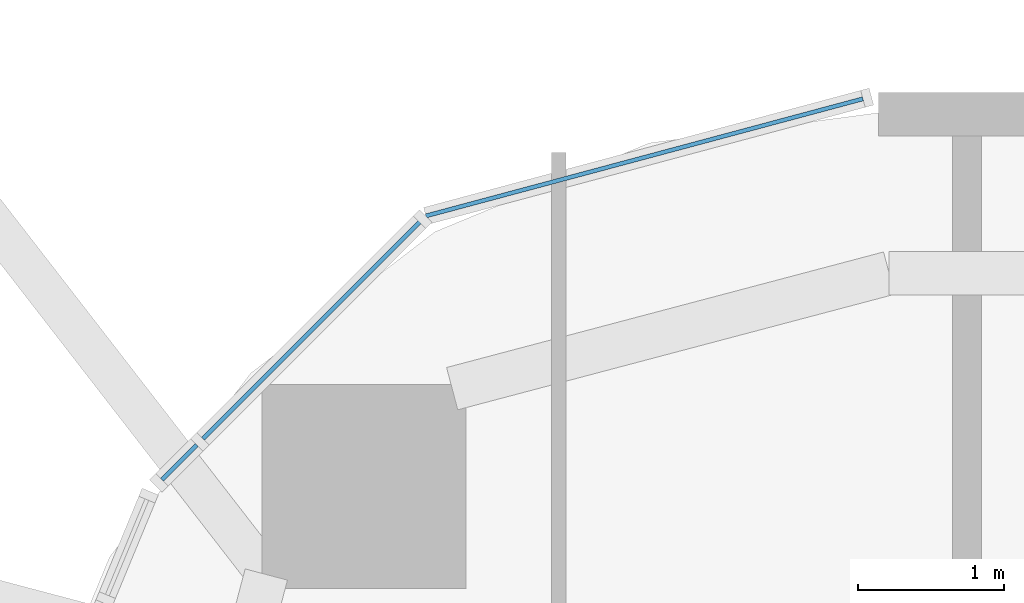
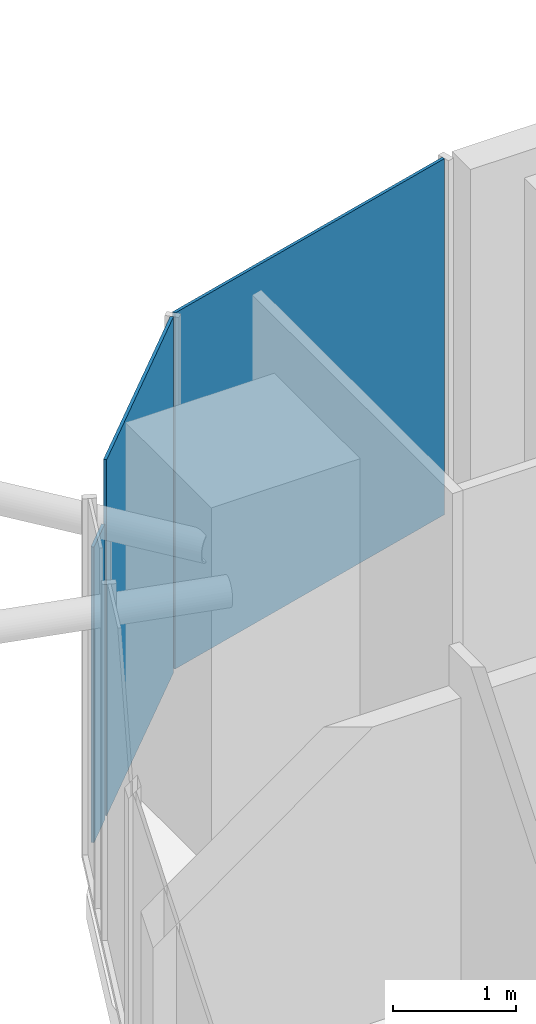
# One storey, part 20 of 31: 3 plates, 3 elements without a shape of their own.
"""IFC4 building model written with IfcOpenShell, lengths in metres."""

from ifc_helpers import new_model, si_unit, direction, frame, origin, origin_2d, place, context, subcontext, project, spatial, rectangle, extrude, material, layer, layer_set, type_object, element, aggregate, save


model = new_model("IFC4")

# Units and contexts
model_context = context("Model", 3, precision=1e-05, world=origin(), true_north=direction((0.0, 1.0)))
body_context = subcontext(model_context, "Body", "Model", "MODEL_VIEW")
ifc_project = project(units=[si_unit("LENGTHUNIT", "METRE"), si_unit("AREAUNIT", "SQUARE_METRE"), si_unit("VOLUMEUNIT", "CUBIC_METRE"), si_unit("PLANEANGLEUNIT", "RADIAN"), si_unit("MASSUNIT", "GRAM", prefix="KILO")], contexts=[model_context])

# Site, building, storey
site_placement = place(None, origin())
site = spatial("IfcSite", under=ifc_project, at=site_placement, CompositionType="ELEMENT")
building_placement = place(site_placement, origin())
building = spatial("IfcBuilding", under=site, at=building_placement, Name="Marenta Gate Hotel Tower", CompositionType="ELEMENT")
storey_placement = place(building_placement, frame((0.0, 0.0, 220.10009765625)))
storey = spatial("IfcBuildingStorey", under=building, at=storey_placement, Name="L51", CompositionType="ELEMENT", Elevation=220.10009765625)

# Curtain wall, plate
ifc_material_1 = material(Name="Tinted insulated glass in bronze anodised frame", Category="glass")
ifc_layer_1 = layer(ifc_material_1, 0.1201171875)
ifc_layer_set_1 = layer_set([ifc_layer_1], Name="Tinted insulated glass in bronze anodised frame")
curtain_wall_type = type_object("IfcCurtainWallType", Name="Tower unitised curtain wall CW1", PredefinedType="NOTDEFINED", material=ifc_layer_set_1)
curtain_wall_1_placement = place(storey_placement, origin())
curtain_wall_1 = element("IfcCurtainWall", 1, at=curtain_wall_1_placement, inside=storey, type_object=curtain_wall_type, Name="CW1 run G00", PredefinedType="NOTDEFINED")
ifc_material_2 = material(Name="Tinted insulated glass", Category="glass")
ifc_layer_2 = layer(ifc_material_2, 0.028076171875)
ifc_layer_set_2 = layer_set([ifc_layer_2], Name="Tinted insulated glass")
plate_type = type_object("IfcPlateType", Name="Glass panel CW1 28 mm tinted insulated unit", PredefinedType="CURTAIN_PANEL", material=ifc_layer_set_2)
plate_1_placement = place(storey_placement, frame((-20.813720703125, 22.19384765625, 0.059814453125), z_axis=(0.0, 0.0, 1.0), x_axis=(-0.965930559685, -0.258801379183, 0.0)))
plate_1 = element("IfcPlate", 2, at=plate_1_placement, type_object=plate_type, Name="CW1 panel 1.1", PredefinedType="CURTAIN_PANEL", context=body_context, shape_type="SweptSolid", body=[
    extrude(rectangle(XDim=3.104248046875, YDim=0.028076171875, at=origin_2d()), origin(), (0.0, 0.0, 1.0), 3.5400390625),
])
aggregate(curtain_wall_1, [plate_1])

curtain_wall_2_placement = place(storey_placement, origin())
curtain_wall_2 = element("IfcCurtainWall", 3, at=curtain_wall_2_placement, inside=storey, type_object=curtain_wall_type, Name="CW1 run G01", PredefinedType="NOTDEFINED")
plate_2_placement = place(storey_placement, frame((-23.0986328125, 21.00634765625, 0.059814453125), z_axis=(0.0, 0.0, 1.0), x_axis=(-0.707106781187, -0.707106781187, 0.0)))
plate_2 = element("IfcPlate", 4, at=plate_2_placement, type_object=plate_type, Name="CW1 panel 1.1", PredefinedType="CURTAIN_PANEL", context=body_context, shape_type="SweptSolid", body=[
    extrude(rectangle(XDim=2.1025390625, YDim=0.028076171875, at=origin_2d()), origin(), (0.0, 0.0, 1.0), 3.5400390625),
])
aggregate(curtain_wall_2, [plate_2])

curtain_wall_3_placement = place(storey_placement, origin())
curtain_wall_3 = element("IfcCurtainWall", 5, at=curtain_wall_3_placement, inside=storey, type_object=curtain_wall_type, Name="CW1 run G02", PredefinedType="NOTDEFINED")
plate_3_placement = place(storey_placement, frame((-24.003662109375, 20.1015625, 0.06005859375), z_axis=(0.0, 0.0, 1.0), x_axis=(-0.707106781187, -0.707106781187, 0.0)))
plate_3 = element("IfcPlate", 6, at=plate_3_placement, type_object=plate_type, Name="CW1 panel 1.1", PredefinedType="CURTAIN_PANEL", context=body_context, shape_type="SweptSolid", body=[
    extrude(rectangle(XDim=0.336669921875, YDim=0.028076171875, at=origin_2d()), origin(), (0.0, 0.0, 1.0), 2.9404296875),
])
aggregate(curtain_wall_3, [plate_3])

save(model, "model.ifc")
